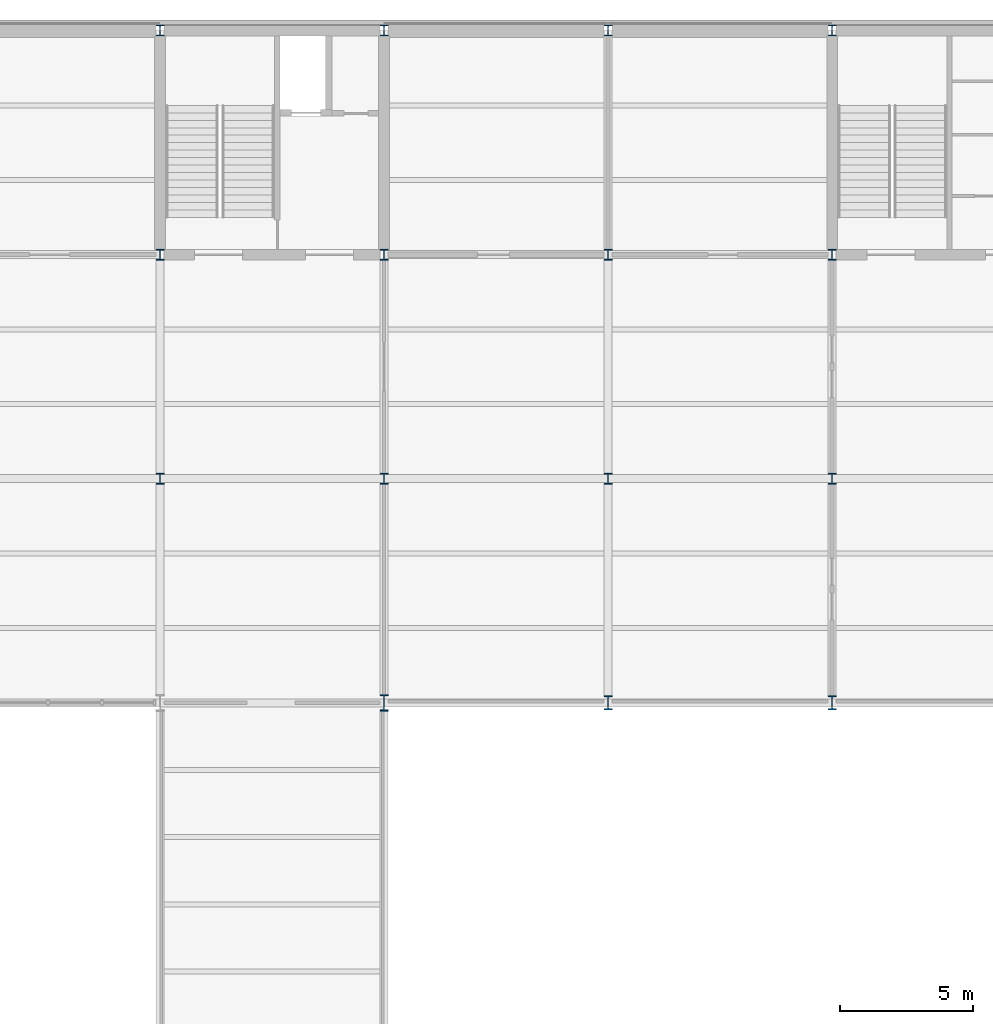
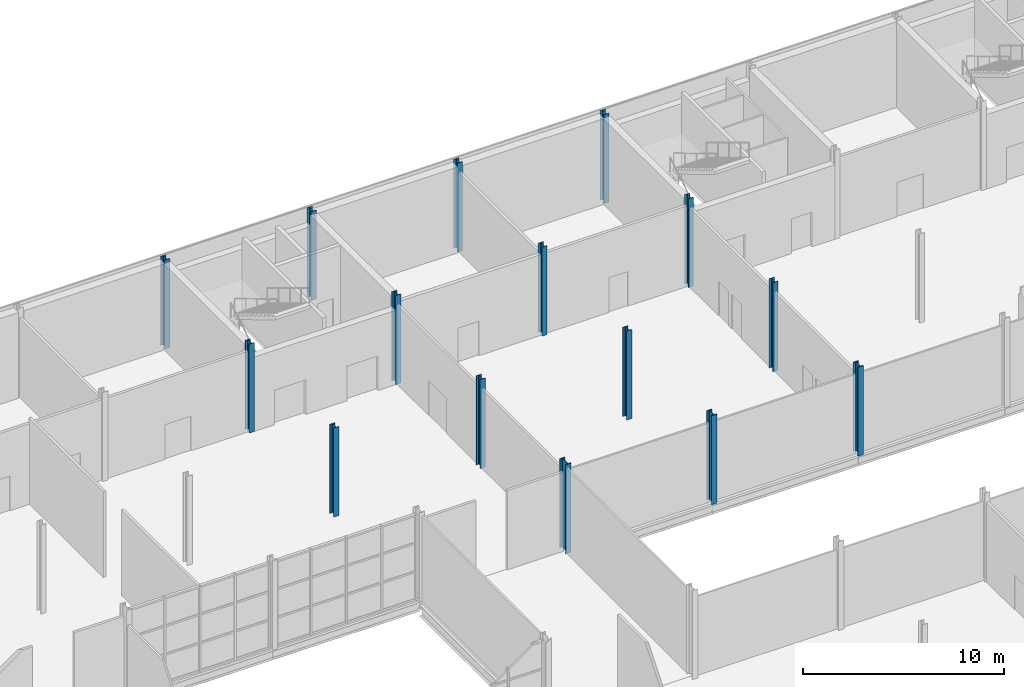
# One storey, part 4 of 57: 15 columns.
"""IFC4 building model written with IfcOpenShell, lengths in metres."""

import ifcopenshell
import ifcopenshell.guid

model = None  # the IFC model being written
_history = None  # IfcOwnerHistory: only IFC2X3 demands one
_inside = {}  # id of a spatial element -> (the spatial element, [elements in it])
_under = {}  # id of a project, library or spatial element -> (it, [spatial elements below it])
_declared = {}  # id of a project -> (the project, [libraries it declares])
_typed = {}  # id of a type object -> (the type object, [elements of that type])
_made_of = {}  # id of a material, layer set ... -> (it, [elements and type objects made of it])


def new_model(schema):
    """Start an empty IFC model of exactly this schema.

    Asked for "IFC4X3", IfcOpenShell would pick the latest addendum, in which some entities
    have other attributes; the version numbers below select the first issue.
    IFC2X3 requires an IfcOwnerHistory on every rooted entity: one is made here for all.
    """
    global model, _history
    if schema == "IFC4X3":
        model = ifcopenshell.file(schema_version=(4, 3, 0, 0))
    else:
        model = ifcopenshell.file(schema=schema)
    _inside.clear()
    _under.clear()
    _declared.clear()
    _typed.clear()
    _made_of.clear()
    _history = None
    if model.schema == "IFC2X3":
        org = make("IfcOrganization", Name="unknown")
        user = make(
            "IfcPersonAndOrganization",
            ThePerson=make("IfcPerson", FamilyName="unknown"),
            TheOrganization=org,
        )
        app = make(
            "IfcApplication",
            ApplicationDeveloper=org,
            Version="unknown",
            ApplicationFullName="unknown",
            ApplicationIdentifier="unknown",
        )
        _history = make(
            "IfcOwnerHistory",
            OwningUser=user,
            OwningApplication=app,
            ChangeAction="ADDED",
            CreationDate=0,
        )
    return model


def make(cls, **values):
    """One entity of the class cls with the attributes given. An attribute that is None is left unset."""
    return model.create_entity(
        cls, **{name: value for name, value in values.items() if value is not None}
    )


def rooted(cls, **values):
    """An entity with a GlobalId (a new one), such as an element, a storey or a relation."""
    return make(cls, GlobalId=ifcopenshell.guid.new(), OwnerHistory=_history, **values)


def si_unit(unit_type, name, prefix=None):
    """IfcSIUnit, for example si_unit("LENGTHUNIT", "METRE", prefix="MILLI")."""
    return make("IfcSIUnit", UnitType=unit_type, Prefix=prefix, Name=name)


def assignment(units):
    """IfcUnitAssignment: the units of a project."""
    return None if units is None else make("IfcUnitAssignment", Units=units)


def point(xyz):
    """IfcCartesianPoint."""
    return None if xyz is None else make("IfcCartesianPoint", Coordinates=xyz)


def direction(xyz):
    """IfcDirection."""
    return None if xyz is None else make("IfcDirection", DirectionRatios=xyz)


def frame(location, z_axis=None, x_axis=None):
    """IfcAxis2Placement3D, a coordinate frame: its origin and axes. An axis left out is left unset."""
    return make(
        "IfcAxis2Placement3D",
        Location=point(location),
        Axis=direction(z_axis),
        RefDirection=direction(x_axis),
    )


def frame_2d(location, x_axis=None):
    """IfcAxis2Placement2D, a coordinate frame in the plane: its origin and x axis."""
    return make(
        "IfcAxis2Placement2D", Location=point(location), RefDirection=direction(x_axis)
    )


def origin():
    """The frame at (0, 0, 0) with its axes left unset."""
    return frame((0.0, 0.0, 0.0))


def origin_2d():
    """The frame at (0, 0) in the plane with its x axis left unset."""
    return frame_2d((0.0, 0.0))


def place(relative_to, where):
    """IfcLocalPlacement: puts the frame where relative to a parent placement (None: the world)."""
    return make(
        "IfcLocalPlacement", PlacementRelTo=relative_to, RelativePlacement=where
    )


def context(
    kind, dimensions, precision=None, world=None, true_north=None, identifier=None
):
    """IfcGeometricRepresentationContext, for example the 3D "Model" context."""
    return make(
        "IfcGeometricRepresentationContext",
        ContextIdentifier=identifier,
        ContextType=kind,
        CoordinateSpaceDimension=dimensions,
        Precision=precision,
        WorldCoordinateSystem=world,
        TrueNorth=true_north,
    )


def subcontext(parent, identifier, kind, view, scale=None):
    """IfcGeometricRepresentationSubContext, for example "Body" below "Model"."""
    return make(
        "IfcGeometricRepresentationSubContext",
        ContextIdentifier=identifier,
        ContextType=kind,
        ParentContext=parent,
        TargetScale=scale,
        TargetView=view,
    )


def project(units=None, contexts=None):
    """IfcProject with its units and contexts."""
    return rooted(
        "IfcProject",
        Name="project",
        RepresentationContexts=contexts,
        UnitsInContext=assignment(units),
    )


def spatial(cls, under=None, at=None, **own):
    """A site, building, storey or space (cls), placed at a placement, below another one or the project."""
    s = rooted(cls, ObjectPlacement=at, **own)
    if under is not None:
        _under.setdefault(under.id(), (under, []))[1].append(s)
    return s


def profile(cls, at=None, kind="AREA", **sizes):
    """A parametric profile (cls). Its sizes go by their IFC names, for example OverallWidth=200.0."""
    return make(cls, ProfileType=kind, Position=at, **sizes)


def i_section(**sizes):
    """IfcIShapeProfileDef."""
    return profile("IfcIShapeProfileDef", **sizes)


def extrude(swept, where, along, depth):
    """IfcExtrudedAreaSolid: the profile swept, set in the frame where, extruded along a direction by depth."""
    return make(
        "IfcExtrudedAreaSolid",
        SweptArea=swept,
        Position=where,
        ExtrudedDirection=direction(along),
        Depth=depth,
    )


def shape(context_of_items, identifier, shape_type, items):
    """IfcShapeRepresentation: the items that make up one representation, for example the "Body"."""
    return make(
        "IfcShapeRepresentation",
        ContextOfItems=context_of_items,
        RepresentationIdentifier=identifier,
        RepresentationType=shape_type,
        Items=items,
    )


def material(Name=None, Category=None):
    """IfcMaterial."""
    return make("IfcMaterial", Name=Name, Category=Category)


def material_profile(
    of_material, cross_section, Name=None, Category=None, Priority=None
):
    """IfcMaterialProfile: a cross section and its material."""
    return make(
        "IfcMaterialProfile",
        Name=Name,
        Material=of_material,
        Profile=cross_section,
        Priority=Priority,
        Category=Category,
    )


def profile_set(profiles, Name=None, composite=None):
    """IfcMaterialProfileSet."""
    return make(
        "IfcMaterialProfileSet",
        Name=Name,
        MaterialProfiles=profiles,
        CompositeProfile=composite,
    )


def made_of(thing, what):
    """Note that an element or type object is made of a material, layer set ...; save() writes the relation."""
    if what is not None:
        _made_of.setdefault(what.id(), (what, []))[1].append(thing)
    return thing


def type_object(cls, material=None, **own):
    """A type object (cls), such as IfcWallType, which elements share."""
    return made_of(rooted(cls, **own), material)


def element(
    cls,
    number,
    at=None,
    inside=None,
    cuts=None,
    type_object=None,
    material=None,
    context=None,
    identifier="Body",
    shape_type=None,
    held_by="IfcProductDefinitionShape",
    body=None,
    shapes=None,
    **own,
):
    """One element of the class cls, such as IfcWall. Its Tag is "e" and its number.

    at: its placement. inside: the storey or other place that contains it. cuts: it is an
    opening in that element (IfcRelVoidsElement). A single representation is given by context,
    identifier, shape_type and body (its items); several are given by shapes. held_by: the class
    of the entity that holds the representations. save() writes the other relations.
    """
    e = rooted(cls, Tag="e%d" % number, ObjectPlacement=at, **own)
    if body is not None:
        shapes = [shape(context, identifier, shape_type, body)]
    if shapes is not None:
        e.Representation = make(held_by, Representations=shapes)
    if inside is not None:
        _inside.setdefault(inside.id(), (inside, []))[1].append(e)
    if cuts is not None:
        rooted(
            "IfcRelVoidsElement", RelatingBuildingElement=cuts, RelatedOpeningElement=e
        )
    if type_object is not None:
        _typed.setdefault(type_object.id(), (type_object, []))[1].append(e)
    return made_of(e, material)


def aggregate(whole, parts):
    """IfcRelAggregates: a whole, such as a stair, and the parts it consists of."""
    return rooted("IfcRelAggregates", RelatingObject=whole, RelatedObjects=parts)


def save(model, path):
    """Write the relations noted so far, then the file.

    IfcRelAggregates (storeys below a building ...), IfcRelContainedInSpatialStructure (elements
    in a storey), IfcRelDefinesByType, IfcRelAssociatesMaterial and IfcRelDeclares: one each for
    every whole, place, type object, material and project.
    """
    for whole, parts in _under.values():
        aggregate(whole, parts)
    for where, things in _inside.values():
        rooted(
            "IfcRelContainedInSpatialStructure",
            RelatedElements=things,
            RelatingStructure=where,
        )
    for kind, things in _typed.values():
        rooted("IfcRelDefinesByType", RelatedObjects=things, RelatingType=kind)
    for what, things in _made_of.values():
        rooted("IfcRelAssociatesMaterial", RelatedObjects=things, RelatingMaterial=what)
    for by, libraries in _declared.values():
        rooted("IfcRelDeclares", RelatingContext=by, RelatedDefinitions=libraries)
    model.write(path)


model = new_model("IFC4")

# Units and contexts
model_context = context("Model", 3, precision=1e-05, world=origin(), true_north=direction((0.0, 1.0)))
body_context = subcontext(model_context, "Body", "Model", "MODEL_VIEW")
ifc_project = project(units=[si_unit("LENGTHUNIT", "METRE"), si_unit("AREAUNIT", "SQUARE_METRE"), si_unit("VOLUMEUNIT", "CUBIC_METRE"), si_unit("PLANEANGLEUNIT", "RADIAN"), si_unit("MASSUNIT", "GRAM", prefix="KILO")], contexts=[model_context])

# Site, building, storey
site_placement = place(None, origin())
site = spatial("IfcSite", under=ifc_project, at=site_placement, CompositionType="ELEMENT")
building_placement = place(site_placement, origin())
building = spatial("IfcBuilding", under=site, at=building_placement, Name="Galleria Vessillo Department Store", CompositionType="ELEMENT")
storey_placement = place(building_placement, frame((0.0, 0.0, 25.800048828125)))
storey = spatial("IfcBuildingStorey", under=building, at=storey_placement, Name="L05", CompositionType="ELEMENT", Elevation=25.800048828125)

# Columns
ifc_material_1 = material(Name="Steel S355 J2", Category="steel")
ifc_material_profile_1 = material_profile(ifc_material_1, i_section(OverallWidth=0.300048828125, OverallDepth=0.39990234375, WebThickness=0.013427734375, FlangeThickness=0.02392578125, FilletRadius=0.027099609375, at=origin_2d()), Name="HEB 400")
ifc_profile_set_1 = profile_set([ifc_material_profile_1], Name="Steel S355 J2")
column_type_1 = type_object("IfcColumnType", Name="Steel column HEB 400 CP2", PredefinedType="COLUMN", material=ifc_profile_set_1)
for number, where, z_axis, x_axis, name in (
    (1, (33.60009765625, 46.199951171875, 0.0), (0.0, 0.0, 1.0), (1.0, 0.0, 0.0), "S-COL-L05-5-F"),
    (2, (33.60009765625, 54.60009765625, 0.0), (0.0, 0.0, 1.0), (1.0, 0.0, 0.0), "S-COL-L05-5-G"),
    (3, (33.60009765625, 63.0, 0.0), (0.0, 0.0, 1.0), (1.0, 0.0, 0.0), "S-COL-L05-5-H"),
    (4, (42.0, 46.199951171875, 0.0), (0.0, 0.0, 1.0), (1.0, 0.0, 0.0), "S-COL-L05-6-F"),
    (5, (42.0, 54.60009765625, 0.0), (0.0, 0.0, 1.0), (1.0, 0.0, 0.0), "S-COL-L05-6-G"),
    (6, (42.0, 63.0, 0.0), (0.0, 0.0, 1.0), (1.0, 0.0, 0.0), "S-COL-L05-6-H"),
    (7, (50.39990234375, 46.199951171875, 0.0), (0.0, 0.0, 1.0), (1.0, 0.0, 0.0), "S-COL-L05-7-F"),
    (8, (50.39990234375, 54.60009765625, 0.0), (0.0, 0.0, 1.0), (1.0, 0.0, 0.0), "S-COL-L05-7-G"),
    (9, (50.39990234375, 63.0, 0.0), (0.0, 0.0, 1.0), (1.0, 0.0, 0.0), "S-COL-L05-7-H"),
    (10, (58.800048828125, 46.199951171875, 0.0), (0.0, 0.0, 1.0), (1.0, 0.0, 0.0), "S-COL-L05-8-F"),
    (11, (58.800048828125, 54.60009765625, 0.0), (0.0, 0.0, 1.0), (1.0, 0.0, 0.0), "S-COL-L05-8-G"),
    (12, (58.800048828125, 63.0, 0.0), (0.0, 0.0, 1.0), (1.0, 0.0, 0.0), "S-COL-L05-8-H"),
):
    element("IfcColumn", number, at=place(storey_placement, frame(where, z_axis=z_axis, x_axis=x_axis)), inside=storey, type_object=column_type_1, Name=name, PredefinedType="COLUMN", context=body_context, shape_type="SweptSolid", body=[
        extrude(i_section(OverallWidth=0.300048828125, OverallDepth=0.39990234375, WebThickness=0.013427734375, FlangeThickness=0.02392578125, FilletRadius=0.027099609375, at=origin_2d()), origin(), (0.0, 0.0, 1.0), 5.39990234375),
    ])
ifc_material_2 = material(Name="Steel S355 J2", Category="steel")
ifc_material_profile_2 = material_profile(ifc_material_2, i_section(OverallWidth=0.305908203125, OverallDepth=0.52392578125, WebThickness=0.02099609375, FlangeThickness=0.0400390625, FilletRadius=0.027099609375, at=origin_2d()), Name="HEM 500")
ifc_profile_set_2 = profile_set([ifc_material_profile_2], Name="Steel S355 J2")
column_type_2 = type_object("IfcColumnType", Name="Steel column HEM 500 CV1", PredefinedType="COLUMN", material=ifc_profile_set_2)
for number, where, z_axis, x_axis, name in (
    (13, (50.39990234375, 37.800048828125, 0.0), (0.0, 0.0, 1.0), (1.0, 0.0, 0.0), "S-COL-L05-7-E"),
    (14, (58.800048828125, 37.800048828125, 0.0), (0.0, 0.0, 1.0), (1.0, 0.0, 0.0), "S-COL-L05-8-E"),
):
    element("IfcColumn", number, at=place(storey_placement, frame(where, z_axis=z_axis, x_axis=x_axis)), inside=storey, type_object=column_type_2, Name=name, PredefinedType="COLUMN", context=body_context, shape_type="SweptSolid", body=[
        extrude(i_section(OverallWidth=0.305908203125, OverallDepth=0.52392578125, WebThickness=0.02099609375, FlangeThickness=0.0400390625, FilletRadius=0.027099609375, at=origin_2d()), origin(), (0.0, 0.0, 1.0), 5.39990234375),
    ])
ifc_material_3 = material(Name="Steel S355 J2", Category="steel")
ifc_material_profile_3 = material_profile(ifc_material_3, i_section(OverallWidth=0.304931640625, OverallDepth=0.6201171875, WebThickness=0.02099609375, FlangeThickness=0.0400390625, FilletRadius=0.027099609375, at=origin_2d()), Name="HEM 600")
ifc_profile_set_3 = profile_set([ifc_material_profile_3], Name="Steel S355 J2")
column_type_3 = type_object("IfcColumnType", Name="Steel column HEM 600 CV2", PredefinedType="COLUMN", material=ifc_profile_set_3)
column_placement = place(storey_placement, frame((42.0, 37.800048828125, 0.0), z_axis=(0.0, 0.0, 1.0), x_axis=(1.0, 0.0, 0.0)))
element("IfcColumn", 15, at=column_placement, inside=storey, type_object=column_type_3, Name="S-COL-L05-6-E", PredefinedType="COLUMN", context=body_context, shape_type="SweptSolid", body=[
    extrude(i_section(OverallWidth=0.304931640625, OverallDepth=0.6201171875, WebThickness=0.02099609375, FlangeThickness=0.0400390625, FilletRadius=0.027099609375, at=origin_2d()), origin(), (0.0, 0.0, 1.0), 5.39990234375),
])

save(model, "model.ifc")
